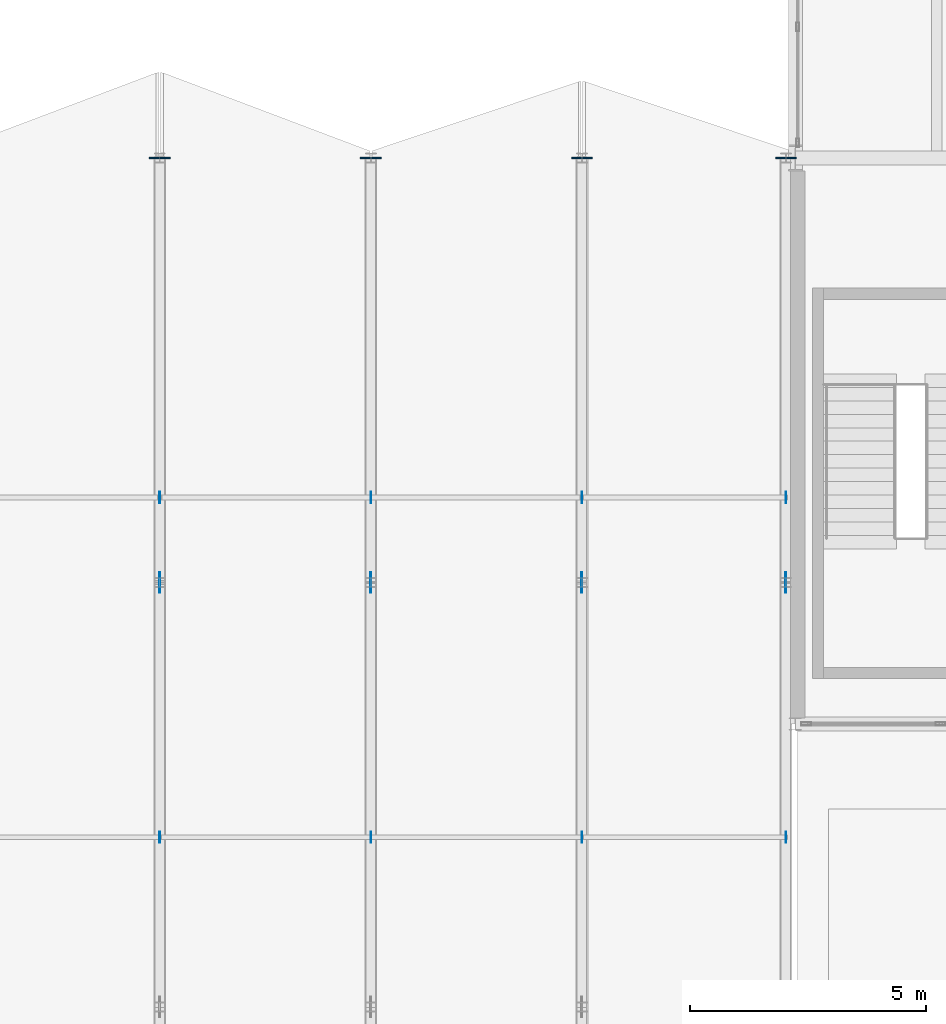
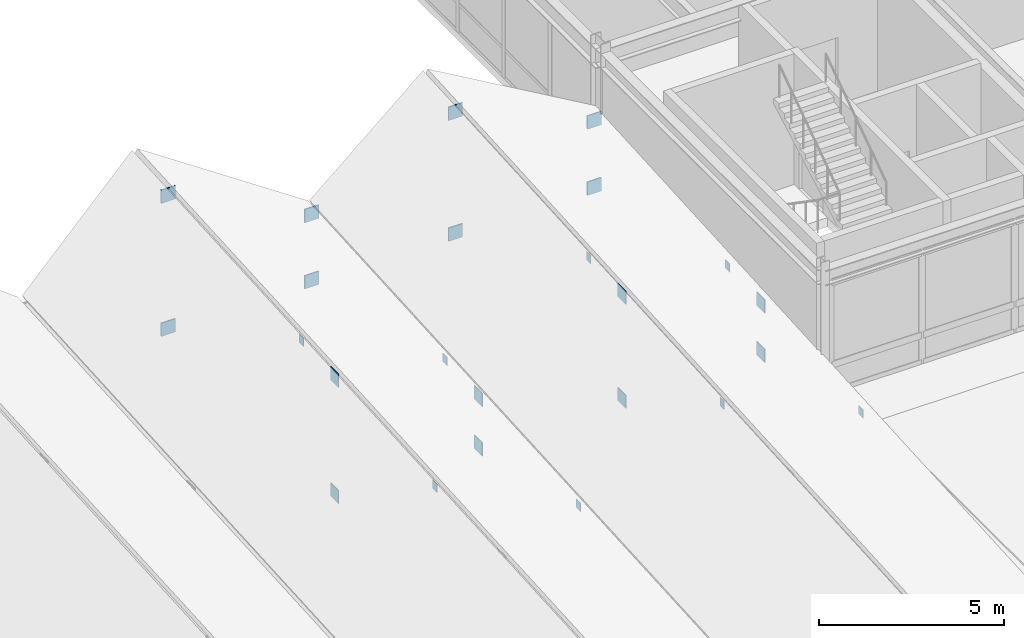
# One storey, part 126 of 142: 24 plates.
"""IFC4 building model written with IfcOpenShell, lengths in metres."""

from ifc_helpers import new_model, si_unit, direction, frame, origin, origin_2d, place, context, subcontext, project, spatial, rectangle, extrude, material, layer, layer_set, type_object, element, save


model = new_model("IFC4")

# Units and contexts
model_context = context("Model", 3, precision=1e-05, world=origin(), true_north=direction((0.0, 1.0)))
body_context = subcontext(model_context, "Body", "Model", "MODEL_VIEW")
ifc_project = project(units=[si_unit("LENGTHUNIT", "METRE"), si_unit("AREAUNIT", "SQUARE_METRE"), si_unit("VOLUMEUNIT", "CUBIC_METRE"), si_unit("PLANEANGLEUNIT", "RADIAN"), si_unit("MASSUNIT", "GRAM", prefix="KILO")], contexts=[model_context])

# Site, building, storey
site_placement = place(None, origin())
site = spatial("IfcSite", under=ifc_project, at=site_placement, CompositionType="ELEMENT")
building_placement = place(site_placement, origin())
building = spatial("IfcBuilding", under=site, at=building_placement, Name="Montelvaro Courts of Justice", CompositionType="ELEMENT")
storey_placement = place(building_placement, frame((0.0, 0.0, 14.39990234375)))
storey = spatial("IfcBuildingStorey", under=building, at=storey_placement, Name="L03", CompositionType="ELEMENT", Elevation=14.39990234375)

# Plates
ifc_material = material(Name="Steel S355", Category="steel")
ifc_layer_1 = layer(ifc_material, 0.011962890625)
ifc_layer_set_1 = layer_set([ifc_layer_1], Name="Steel S355")
plate_type_1 = type_object("IfcPlateType", Name="EndCapPlate_12", PredefinedType="USERDEFINED", material=ifc_layer_set_1)
for number, where, z_axis, x_axis, name in (
    (1, (85.52490234375, 63.60009765625, 3.06005859375), (0.0, 0.0, 1.0), (1.0, 0.0, 0.0), "Purlin End Cap Plate CP-01 04-3L-B"),
    (2, (90.0, 63.60009765625, 0.85986328125), (0.0, 0.0, 1.0), (1.0, 0.0, 0.0), "Purlin End Cap Plate CP-01 04-3R-B"),
    (3, (85.52490234375, 70.800048828125, 3.5), (0.0, 0.0, 1.0), (1.0, 0.0, 0.0), "Purlin End Cap Plate CP-01 04-4L-B"),
    (4, (90.0, 70.800048828125, 1.30029296875), (0.0, 0.0, 1.0), (1.0, 0.0, 0.0), "Purlin End Cap Plate CP-01 04-4R-B"),
    (5, (94.47509765625, 63.60009765625, 2.66015625), (0.0, 0.0, 1.0), (1.0, 0.0, 0.0), "Purlin End Cap Plate CP-01 05-3L-B"),
    (6, (98.800048828125, 63.60009765625, 0.85986328125), (0.0, 0.0, 1.0), (1.0, 0.0, 0.0), "Purlin End Cap Plate CP-01 05-3R-B"),
    (7, (94.47509765625, 70.800048828125, 3.10009765625), (0.0, 0.0, 1.0), (1.0, 0.0, 0.0), "Purlin End Cap Plate CP-01 05-4L-B"),
    (8, (98.800048828125, 70.800048828125, 1.30029296875), (0.0, 0.0, 1.0), (1.0, 0.0, 0.0), "Purlin End Cap Plate CP-01 05-4R-B"),
):
    element("IfcPlate", number, at=place(storey_placement, frame(where, z_axis=z_axis, x_axis=x_axis)), inside=storey, type_object=plate_type_1, Name=name, ObjectType="GUSSET PLATE", PredefinedType="USERDEFINED", context=body_context, shape_type="SweptSolid", body=[
        extrude(rectangle(XDim=0.011962890625, YDim=0.239990234375, at=origin_2d()), origin(), (0.0, 0.0, 1.0), 0.280029296875),
    ])
ifc_layer_2 = layer(ifc_material, 0.035888671875)
ifc_layer_set_2 = layer_set([ifc_layer_2], Name="Steel S355")
plate_type_2 = type_object("IfcPlateType", Name="EndCapPlate_36", PredefinedType="USERDEFINED", material=ifc_layer_set_2)
for number, where, z_axis, x_axis, name in (
    (9, (90.0, 78.0, -0.519775390625), (0.0, 0.0, 1.0), (1.0, 0.0, 0.0), "Roof Truss End Cap Plate CP-02 ROOF-PASSAGE-VTR05-B1"),
    (10, (90.0, 78.0, 1.66015625), (0.0, 0.0, 1.0), (1.0, 0.0, 0.0), "Roof Truss End Cap Plate CP-02 ROOF-PASSAGE-VTR05-T1"),
    (11, (98.800048828125, 78.0, -0.519775390625), (0.0, 0.0, 1.0), (1.0, 0.0, 0.0), "Roof Truss End Cap Plate CP-02 ROOF-PASSAGE-VTR06-B1"),
    (12, (98.800048828125, 78.0, 1.66015625), (0.0, 0.0, 1.0), (1.0, 0.0, 0.0), "Roof Truss End Cap Plate CP-02 ROOF-PASSAGE-VTR06-T1"),
    (13, (85.52490234375, 78.0, -0.519775390625), (0.0, 0.0, 1.0), (1.0, 0.0, 0.0), "Roof Truss End Cap Plate CP-02 ROOF-PASSAGE-RTR04-B1"),
    (14, (85.52490234375, 78.0, 3.860107421875), (0.0, 0.0, 1.0), (1.0, 0.0, 0.0), "Roof Truss End Cap Plate CP-02 ROOF-PASSAGE-RTR04-T1"),
    (15, (94.47509765625, 78.0, -0.519775390625), (0.0, 0.0, 1.0), (1.0, 0.0, 0.0), "Roof Truss End Cap Plate CP-02 ROOF-PASSAGE-RTR05-B1"),
    (16, (94.47509765625, 78.0, 3.460205078125), (0.0, 0.0, 1.0), (1.0, 0.0, 0.0), "Roof Truss End Cap Plate CP-02 ROOF-PASSAGE-RTR05-T1"),
):
    element("IfcPlate", number, at=place(storey_placement, frame(where, z_axis=z_axis, x_axis=x_axis)), inside=storey, type_object=plate_type_2, Name=name, ObjectType="GUSSET PLATE", PredefinedType="USERDEFINED", context=body_context, shape_type="SweptSolid", body=[
        extrude(rectangle(XDim=0.43994140625, YDim=0.035888671875, at=origin_2d()), origin(), (0.0, 0.0, 1.0), 0.43994140625),
    ])
ifc_layer_3 = layer(ifc_material, 0.02001953125)
ifc_layer_set_3 = layer_set([ifc_layer_3], Name="Steel S355")
plate_type_3 = type_object("IfcPlateType", Name="GussetPlate_20", PredefinedType="USERDEFINED", material=ifc_layer_set_3)
for number, where, z_axis, x_axis, name in (
    (17, (90.0, 69.0, -0.519775390625), (0.0, 0.0, 1.0), (1.0, 0.0, 0.0), "Roof Truss Gusset Plate GP-01 ROOF-PASSAGE-VTR05-3B"),
    (18, (90.0, 69.0, 1.110107421875), (0.0, 0.0, 1.0), (1.0, 0.0, 0.0), "Roof Truss Gusset Plate GP-01 ROOF-PASSAGE-VTR05-3T"),
    (19, (98.800048828125, 69.0, -0.519775390625), (0.0, 0.0, 1.0), (1.0, 0.0, 0.0), "Roof Truss Gusset Plate GP-01 ROOF-PASSAGE-VTR06-3B"),
    (20, (98.800048828125, 69.0, 1.110107421875), (0.0, 0.0, 1.0), (1.0, 0.0, 0.0), "Roof Truss Gusset Plate GP-01 ROOF-PASSAGE-VTR06-3T"),
    (21, (85.52490234375, 69.0, -0.519775390625), (0.0, 0.0, 1.0), (1.0, 0.0, 0.0), "Roof Truss Gusset Plate GP-01 ROOF-PASSAGE-RTR04-3B"),
    (22, (85.52490234375, 69.0, 3.31005859375), (0.0, 0.0, 1.0), (1.0, 0.0, 0.0), "Roof Truss Gusset Plate GP-01 ROOF-PASSAGE-RTR04-3T"),
    (23, (94.47509765625, 69.0, -0.519775390625), (0.0, 0.0, 1.0), (1.0, 0.0, 0.0), "Roof Truss Gusset Plate GP-01 ROOF-PASSAGE-RTR05-3B"),
    (24, (94.47509765625, 69.0, 2.91015625), (0.0, 0.0, 1.0), (1.0, 0.0, 0.0), "Roof Truss Gusset Plate GP-01 ROOF-PASSAGE-RTR05-3T"),
):
    element("IfcPlate", number, at=place(storey_placement, frame(where, z_axis=z_axis, x_axis=x_axis)), inside=storey, type_object=plate_type_3, Name=name, ObjectType="GUSSET PLATE", PredefinedType="USERDEFINED", context=body_context, shape_type="SweptSolid", body=[
        extrude(rectangle(XDim=0.02001953125, YDim=0.43994140625, at=origin_2d()), origin(), (0.0, 0.0, 1.0), 0.43994140625),
    ])

save(model, "model.ifc")
